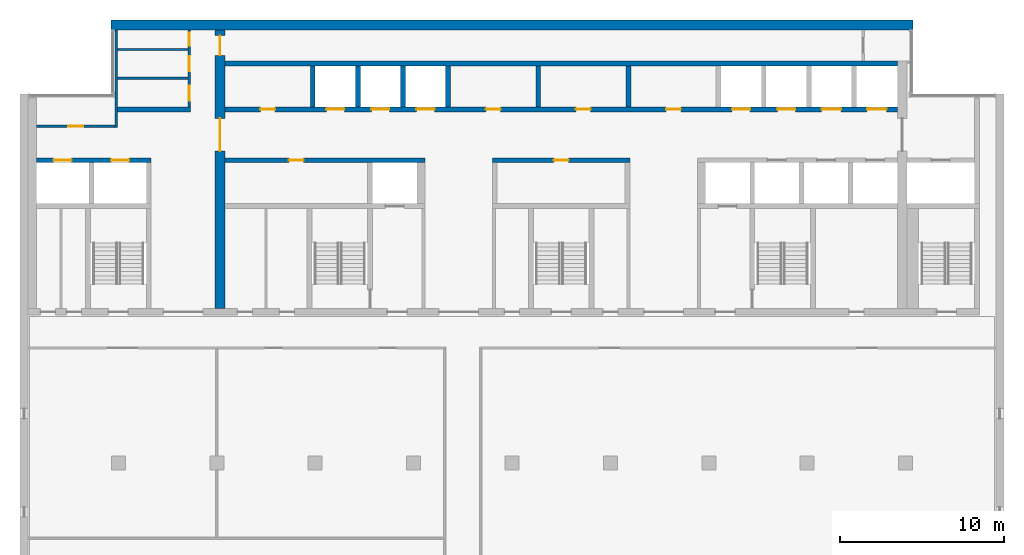
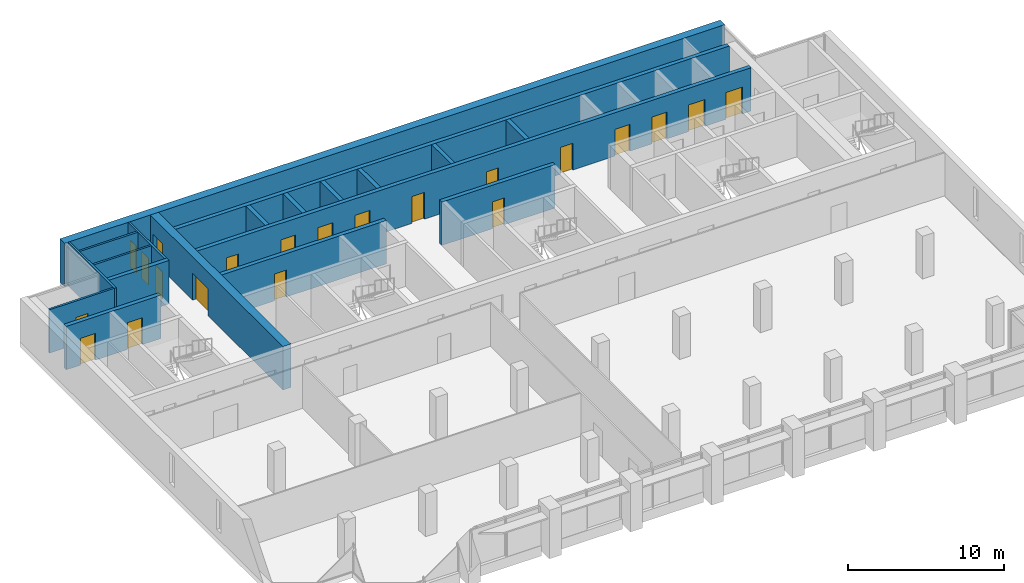
# One storey, part 10 of 14: 21 doors, 19 walls, 21 openings.
"""IFC4 building model written with IfcOpenShell, lengths in metres."""

from ifc_helpers import new_model, si_unit, direction, frame, frame_2d, origin, place, context, subcontext, project, spatial, rectangle, extrude, material, layer, layer_set, type_object, element, fill, save


model = new_model("IFC4")

# Units and contexts
model_context = context("Model", 3, precision=1e-05, world=origin(), true_north=direction((0.0, 1.0)))
body_context = subcontext(model_context, "Body", "Model", "MODEL_VIEW")
ifc_project = project(units=[si_unit("LENGTHUNIT", "METRE"), si_unit("AREAUNIT", "SQUARE_METRE"), si_unit("VOLUMEUNIT", "CUBIC_METRE"), si_unit("PLANEANGLEUNIT", "RADIAN"), si_unit("MASSUNIT", "GRAM", prefix="KILO")], contexts=[model_context])

# Site, building, storey
site_placement = place(None, origin())
site = spatial("IfcSite", under=ifc_project, at=site_placement, CompositionType="ELEMENT")
building_placement = place(site_placement, origin())
building = spatial("IfcBuilding", under=site, at=building_placement, Name="Calvaro Tower", CompositionType="ELEMENT")
storey_placement = place(building_placement, frame((0.0, 0.0, 250.75)))
storey = spatial("IfcBuildingStorey", under=building, at=storey_placement, Name="L63", CompositionType="ELEMENT", Elevation=250.75)

# Walls
ifc_material_1 = material(Name="Blockwork partition", Category="masonry")
ifc_layer_1 = layer(ifc_material_1, 0.14990234375)
ifc_layer_set_1 = layer_set([ifc_layer_1], Name="Blockwork partition")
wall_type_1 = type_object("IfcWallType", Name="Core partition 150 EI 60", PredefinedType="PARTITIONING", material=ifc_layer_set_1)
for number, where, z_axis, x_axis, name in (
    (1, (11.949951171875, 42.449951171875, 0.0), (0.0, 0.0, 1.0), (1.0, 0.0, 0.0), "Core partition"),
    (2, (11.949951171875, 44.199951171875, 0.0), (0.0, 0.0, 1.0), (1.0, 0.0, 0.0), "Core partition"),
):
    element("IfcWall", number, at=place(storey_placement, frame(where, z_axis=z_axis, x_axis=x_axis)), inside=storey, type_object=wall_type_1, Name=name, PredefinedType="PARTITIONING", context=body_context, shape_type="SweptSolid", body=[
        extrude(rectangle(XDim=4.300048828125, YDim=0.14990234375, at=frame_2d((2.14990234375, 0.0))), origin(), (0.0, 0.0, 1.0), 3.39990234375),
    ])

# Wall, openings, doors
ifc_material_2 = material(Name="Blockwork partition", Category="masonry")
ifc_layer_2 = layer(ifc_material_2, 0.14990234375)
ifc_layer_set_2 = layer_set([ifc_layer_2], Name="Blockwork partition")
wall_type_2 = type_object("IfcWallType", Name="Core partition 150 REI 120", PredefinedType="PARTITIONING", material=ifc_layer_set_2)
wall_1_placement = place(storey_placement, frame((16.324951171875, 45.39990234375, 0.0), z_axis=(0.0, 0.0, 1.0), x_axis=(0.0, -1.0, 0.0)))
wall_1 = element("IfcWall", 3, at=wall_1_placement, inside=storey, type_object=wall_type_2, Name="Core partition", PredefinedType="PARTITIONING", context=body_context, shape_type="SweptSolid", body=[
    extrude(rectangle(XDim=4.699951171875, YDim=0.14990234375, at=frame_2d((2.35009765625, 0.0))), origin(), (0.0, 0.0, 1.0), 3.39990234375),
])
opening_1_placement = place(wall_1_placement, frame((3.41259765625, 0.0, 0.0)))
opening_1 = element("IfcOpeningElement", 4, at=opening_1_placement, cuts=wall_1, Name="Opening RD9", PredefinedType="OPENING", context=body_context, shape_type="SweptSolid", body=[
    extrude(rectangle(XDim=0.89990234375, YDim=2.10009765625, at=frame_2d((0.449951171875, 1.050048828125))), frame((0.0, 0.0849609375, 0.0), z_axis=(0.0, -1.0, 0.0), x_axis=(1.0, 0.0, 0.0)), (0.0, 0.0, 1.0), 0.169921875),
])
opening_2_placement = place(wall_1_placement, frame((1.625, 0.0, 0.0)))
opening_2 = element("IfcOpeningElement", 5, at=opening_2_placement, cuts=wall_1, Name="Opening RD9", PredefinedType="OPENING", context=body_context, shape_type="SweptSolid", body=[
    extrude(rectangle(XDim=0.89990234375, YDim=2.10009765625, at=frame_2d((0.449951171875, 1.050048828125))), frame((0.0, 0.0849609375, 0.0), z_axis=(0.0, -1.0, 0.0), x_axis=(1.0, 0.0, 0.0)), (0.0, 0.0, 1.0), 0.169921875),
])
opening_3_placement = place(wall_1_placement, frame((0.16259765625, 0.0, 0.0)))
opening_3 = element("IfcOpeningElement", 6, at=opening_3_placement, cuts=wall_1, Name="Opening RD8C", PredefinedType="OPENING", context=body_context, shape_type="SweptSolid", body=[
    extrude(rectangle(XDim=0.800048828125, YDim=2.10009765625, at=frame_2d((0.39990234375, 1.050048828125))), frame((0.0, 0.0849609375, 0.0), z_axis=(0.0, -1.0, 0.0), x_axis=(1.0, 0.0, 0.0)), (0.0, 0.0, 1.0), 0.169921875),
])
ifc_material_3 = material(Name="Steel door set", Category="steel")
door_type_1 = type_object("IfcDoorType", Name="Room door 800 FD30", OperationType="SINGLE_SWING_LEFT", PredefinedType="DOOR", material=ifc_material_3)
door_1_placement = place(opening_3_placement, origin())
door_1 = element("IfcDoor", 7, at=door_1_placement, inside=storey, type_object=door_type_1, Name="Room door", OperationType="SINGLE_SWING_RIGHT", OverallHeight=2.10009765625, OverallWidth=0.800048828125, PredefinedType="DOOR", context=body_context, shape_type="SweptSolid", body=[
    extrude(rectangle(XDim=0.800048828125, YDim=2.10009765625, at=frame_2d((0.39990234375, 1.050048828125))), frame((0.0, 0.02490234375, 0.0), z_axis=(0.0, -1.0, 0.0), x_axis=(1.0, 0.0, 0.0)), (0.0, 0.0, 1.0), 0.050048828125),
])
fill(opening_3, door_1)
ifc_material_4 = material(Name="Steel door set", Category="steel")
door_type_2 = type_object("IfcDoorType", Name="Room door 900", OperationType="SINGLE_SWING_LEFT", PredefinedType="DOOR", material=ifc_material_4)
door_2_placement = place(opening_1_placement, origin())
door_2 = element("IfcDoor", 8, at=door_2_placement, inside=storey, type_object=door_type_2, Name="Room door", OperationType="SINGLE_SWING_RIGHT", OverallHeight=2.10009765625, OverallWidth=0.89990234375, PredefinedType="DOOR", context=body_context, shape_type="SweptSolid", body=[
    extrude(rectangle(XDim=0.89990234375, YDim=2.10009765625, at=frame_2d((0.449951171875, 1.050048828125))), frame((0.0, 0.02490234375, 0.0), z_axis=(0.0, -1.0, 0.0), x_axis=(1.0, 0.0, 0.0)), (0.0, 0.0, 1.0), 0.050048828125),
])
fill(opening_1, door_2)
door_3_placement = place(opening_2_placement, origin())
door_3 = element("IfcDoor", 9, at=door_3_placement, inside=storey, type_object=door_type_2, Name="Room door", OperationType="SINGLE_SWING_LEFT", OverallHeight=2.10009765625, OverallWidth=0.89990234375, PredefinedType="DOOR", context=body_context, shape_type="SweptSolid", body=[
    extrude(rectangle(XDim=0.89990234375, YDim=2.10009765625, at=frame_2d((0.449951171875, 1.050048828125))), frame((0.0, 0.02490234375, 0.0), z_axis=(0.0, -1.0, 0.0), x_axis=(1.0, 0.0, 0.0)), (0.0, 0.0, 1.0), 0.050048828125),
])
fill(opening_2, door_3)

# Wall
wall_2_placement = place(storey_placement, frame((11.875, 39.449951171875, 0.0), z_axis=(0.0, 0.0, 1.0), x_axis=(0.0, 1.0, 0.0)))
element("IfcWall", 10, at=wall_2_placement, inside=storey, type_object=wall_type_2, Name="Core partition", PredefinedType="PARTITIONING", context=body_context, shape_type="SweptSolid", body=[
    extrude(rectangle(XDim=5.949951171875, YDim=0.14990234375, at=frame_2d((2.97509765625, 0.0))), origin(), (0.0, 0.0, 1.0), 3.39990234375),
])

# Wall, opening, door
wall_3_placement = place(storey_placement, frame((7.0, 39.52490234375, 0.0), z_axis=(0.0, 0.0, 1.0), x_axis=(1.0, 0.0, 0.0)))
wall_3 = element("IfcWall", 11, at=wall_3_placement, inside=storey, type_object=wall_type_2, Name="Core partition", PredefinedType="PARTITIONING", context=body_context, shape_type="SweptSolid", body=[
    extrude(rectangle(XDim=4.800048828125, YDim=0.14990234375, at=frame_2d((2.39990234375, 0.0))), origin(), (0.0, 0.0, 1.0), 3.39990234375),
])
opening_4_placement = place(wall_3_placement, frame((1.949951171875, 0.0, 0.0)))
opening_4 = element("IfcOpeningElement", 12, at=opening_4_placement, cuts=wall_3, Name="Opening RD9", PredefinedType="OPENING", context=body_context, shape_type="SweptSolid", body=[
    extrude(rectangle(XDim=0.89990234375, YDim=2.10009765625, at=frame_2d((0.449951171875, 1.050048828125))), frame((0.0, 0.0849609375, 0.0), z_axis=(0.0, -1.0, 0.0), x_axis=(1.0, 0.0, 0.0)), (0.0, 0.0, 1.0), 0.169921875),
])
door_4_placement = place(opening_4_placement, origin())
door_4 = element("IfcDoor", 13, at=door_4_placement, inside=storey, type_object=door_type_2, Name="Room door", OperationType="SINGLE_SWING_LEFT", OverallHeight=2.10009765625, OverallWidth=0.89990234375, PredefinedType="DOOR", context=body_context, shape_type="SweptSolid", body=[
    extrude(rectangle(XDim=0.89990234375, YDim=2.10009765625, at=frame_2d((0.449951171875, 1.050048828125))), frame((0.0, 0.02490234375, 0.0), z_axis=(0.0, -1.0, 0.0), x_axis=(1.0, 0.0, 0.0)), (0.0, 0.0, 1.0), 0.050048828125),
])
fill(opening_4, door_4)

# Walls
ifc_material_5 = material(Name="Blockwork partition", Category="masonry")
ifc_layer_3 = layer(ifc_material_5, 0.300048828125)
ifc_layer_set_3 = layer_set([ifc_layer_3], Name="Blockwork partition")
wall_type_3 = type_object("IfcWallType", Name="Core partition 300 EI 60", PredefinedType="PARTITIONING", material=ifc_layer_set_3)
wall_4_placement = place(storey_placement, frame((37.60009765625, 40.699951171875, 0.0), z_axis=(0.0, 0.0, 1.0), x_axis=(0.0, 1.0, 0.0)))
element("IfcWall", 14, at=wall_4_placement, inside=storey, type_object=wall_type_3, Name="Core partition", PredefinedType="PARTITIONING", context=body_context, shape_type="SweptSolid", body=[
    extrude(rectangle(XDim=2.5, YDim=0.300048828125, at=frame_2d((1.25, 0.0))), origin(), (0.0, 0.0, 1.0), 3.39990234375),
])
ifc_material_6 = material(Name="Blockwork partition", Category="masonry")
ifc_layer_4 = layer(ifc_material_6, 0.300048828125)
ifc_layer_set_4 = layer_set([ifc_layer_4], Name="Blockwork partition")
wall_type_4 = type_object("IfcWallType", Name="Core partition 300 REI 120", PredefinedType="PARTITIONING", material=ifc_layer_set_4)
wall_5_placement = place(storey_placement, frame((11.949951171875, 40.550048828125, 0.0), z_axis=(0.0, 0.0, 1.0), x_axis=(1.0, 0.0, 0.0)))
element("IfcWall", 15, at=wall_5_placement, inside=storey, type_object=wall_type_4, Name="Core partition", PredefinedType="PARTITIONING", context=body_context, shape_type="SweptSolid", body=[
    extrude(rectangle(XDim=4.449951171875, YDim=0.300048828125, at=frame_2d((2.22509765625, 0.0))), origin(), (0.0, 0.0, 1.0), 3.39990234375),
])
wall_6_placement = place(storey_placement, frame((43.10009765625, 40.699951171875, 0.0), z_axis=(0.0, 0.0, 1.0), x_axis=(0.0, 1.0, 0.0)))
element("IfcWall", 16, at=wall_6_placement, inside=storey, type_object=wall_type_4, Name="Core partition", PredefinedType="PARTITIONING", context=body_context, shape_type="SweptSolid", body=[
    extrude(rectangle(XDim=2.5, YDim=0.300048828125, at=frame_2d((1.25, 0.0))), origin(), (0.0, 0.0, 1.0), 3.39990234375),
])

# Wall, openings, doors
ifc_material_7 = material(Name="Concrete C40/50", Category="concrete")
ifc_layer_5 = layer(ifc_material_7, 0.300048828125)
ifc_layer_set_5 = layer_set([ifc_layer_5], Name="Concrete C40/50")
wall_type_5 = type_object("IfcWallType", Name="Core wall C40/50 300", PredefinedType="SHEAR", material=ifc_layer_set_5)
wall_7_placement = place(storey_placement, frame((7.0, 37.449951171875, 0.0), z_axis=(0.0, 0.0, 1.0), x_axis=(1.0, 0.0, 0.0)))
wall_7 = element("IfcWall", 17, at=wall_7_placement, inside=storey, type_object=wall_type_5, Name="Core wall, lift shaft", PredefinedType="SHEAR", context=body_context, shape_type="SweptSolid", body=[
    extrude(rectangle(XDim=7.0, YDim=0.300048828125, at=frame_2d((3.5, 0.0))), origin(), (0.0, 0.0, 1.0), 3.39990234375),
])
opening_5_placement = place(wall_7_placement, frame((1.050048828125, 0.0, 0.0)))
opening_5 = element("IfcOpeningElement", 18, at=opening_5_placement, cuts=wall_7, Name="Opening EX1", PredefinedType="OPENING", context=body_context, shape_type="SweptSolid", body=[
    extrude(rectangle(XDim=1.10009765625, YDim=2.10009765625, at=frame_2d((0.550048828125, 1.050048828125))), frame((0.0, 0.159912109375, 0.0), z_axis=(0.0, -1.0, 0.0), x_axis=(1.0, 0.0, 0.0)), (0.0, 0.0, 1.0), 0.320068359375),
])
opening_6_placement = place(wall_7_placement, frame((4.550048828125, 0.0, 0.0)))
opening_6 = element("IfcOpeningElement", 19, at=opening_6_placement, cuts=wall_7, Name="Opening EX2", PredefinedType="OPENING", context=body_context, shape_type="SweptSolid", body=[
    extrude(rectangle(XDim=1.10009765625, YDim=2.10009765625, at=frame_2d((0.550048828125, 1.050048828125))), frame((0.0, 0.159912109375, 0.0), z_axis=(0.0, -1.0, 0.0), x_axis=(1.0, 0.0, 0.0)), (0.0, 0.0, 1.0), 0.320068359375),
])
ifc_material_8 = material(Name="Stainless steel", Category="steel")
door_type_3 = type_object("IfcDoorType", Name="Landing door 1100 E 60", OperationType="SLIDING_TO_LEFT", PredefinedType="DOOR", material=ifc_material_8)
door_5_placement = place(opening_5_placement, origin())
door_5 = element("IfcDoor", 20, at=door_5_placement, inside=storey, type_object=door_type_3, Name="Landing door EX1", OperationType="SLIDING_TO_LEFT", OverallHeight=2.10009765625, OverallWidth=1.10009765625, PredefinedType="DOOR", context=body_context, shape_type="SweptSolid", body=[
    extrude(rectangle(XDim=1.10009765625, YDim=2.10009765625, at=frame_2d((0.550048828125, 1.050048828125))), frame((0.0, 0.02490234375, 0.0), z_axis=(0.0, -1.0, 0.0), x_axis=(1.0, 0.0, 0.0)), (0.0, 0.0, 1.0), 0.050048828125),
])
fill(opening_5, door_5)
door_6_placement = place(opening_6_placement, origin())
door_6 = element("IfcDoor", 21, at=door_6_placement, inside=storey, type_object=door_type_3, Name="Landing door EX2", OperationType="SLIDING_TO_LEFT", OverallHeight=2.10009765625, OverallWidth=1.10009765625, PredefinedType="DOOR", context=body_context, shape_type="SweptSolid", body=[
    extrude(rectangle(XDim=1.10009765625, YDim=2.10009765625, at=frame_2d((0.550048828125, 1.050048828125))), frame((0.0, 0.02490234375, 0.0), z_axis=(0.0, -1.0, 0.0), x_axis=(1.0, 0.0, 0.0)), (0.0, 0.0, 1.0), 0.050048828125),
])
fill(opening_6, door_6)

# Wall, opening, door
wall_8_placement = place(storey_placement, frame((30.699951171875, 37.449951171875, 0.0), z_axis=(0.0, 0.0, 1.0), x_axis=(-1.0, 0.0, 0.0)))
wall_8 = element("IfcWall", 22, at=wall_8_placement, inside=storey, type_object=wall_type_5, Name="Core wall, bay", PredefinedType="SHEAR", context=body_context, shape_type="SweptSolid", body=[
    extrude(rectangle(XDim=12.199951171875, YDim=0.300048828125, at=frame_2d((6.10009765625, 0.0))), origin(), (0.0, 0.0, 1.0), 3.39990234375),
])
opening_7_placement = place(wall_8_placement, frame((7.39990234375, 0.0, 0.0)))
opening_7 = element("IfcOpeningElement", 23, at=opening_7_placement, cuts=wall_8, Name="Opening RD9E", PredefinedType="OPENING", context=body_context, shape_type="SweptSolid", body=[
    extrude(rectangle(XDim=0.89990234375, YDim=2.10009765625, at=frame_2d((0.449951171875, 1.050048828125))), frame((0.0, 0.159912109375, 0.0), z_axis=(0.0, -1.0, 0.0), x_axis=(1.0, 0.0, 0.0)), (0.0, 0.0, 1.0), 0.320068359375),
])
ifc_material_9 = material(Name="Steel door set", Category="steel")
door_type_4 = type_object("IfcDoorType", Name="Room door 900 FD60", OperationType="SINGLE_SWING_LEFT", PredefinedType="DOOR", material=ifc_material_9)
door_7_placement = place(opening_7_placement, origin())
door_7 = element("IfcDoor", 24, at=door_7_placement, inside=storey, type_object=door_type_4, Name="Room door", OperationType="SINGLE_SWING_LEFT", OverallHeight=2.10009765625, OverallWidth=0.89990234375, PredefinedType="DOOR", context=body_context, shape_type="SweptSolid", body=[
    extrude(rectangle(XDim=0.89990234375, YDim=2.10009765625, at=frame_2d((0.449951171875, 1.050048828125))), frame((0.0, 0.02490234375, 0.0), z_axis=(0.0, -1.0, 0.0), x_axis=(1.0, 0.0, 0.0)), (0.0, 0.0, 1.0), 0.050048828125),
])
fill(opening_7, door_7)

wall_9_placement = place(storey_placement, frame((43.199951171875, 37.449951171875, 0.0), z_axis=(0.0, 0.0, 1.0), x_axis=(-1.0, 0.0, 0.0)))
wall_9 = element("IfcWall", 25, at=wall_9_placement, inside=storey, type_object=wall_type_5, Name="Core wall, bay", PredefinedType="SHEAR", context=body_context, shape_type="SweptSolid", body=[
    extrude(rectangle(XDim=8.39990234375, YDim=0.300048828125, at=frame_2d((4.199951171875, 0.0))), origin(), (0.0, 0.0, 1.0), 3.39990234375),
])
opening_8_placement = place(wall_9_placement, frame((3.75, 0.0, 0.0)))
opening_8 = element("IfcOpeningElement", 26, at=opening_8_placement, cuts=wall_9, Name="Opening RD9C", PredefinedType="OPENING", context=body_context, shape_type="SweptSolid", body=[
    extrude(rectangle(XDim=0.89990234375, YDim=2.10009765625, at=frame_2d((0.449951171875, 1.050048828125))), frame((0.0, 0.159912109375, 0.0), z_axis=(0.0, -1.0, 0.0), x_axis=(1.0, 0.0, 0.0)), (0.0, 0.0, 1.0), 0.320068359375),
])
ifc_material_10 = material(Name="Steel door set", Category="steel")
door_type_5 = type_object("IfcDoorType", Name="Room door 900 FD30", OperationType="SINGLE_SWING_LEFT", PredefinedType="DOOR", material=ifc_material_10)
door_8_placement = place(opening_8_placement, origin())
door_8 = element("IfcDoor", 27, at=door_8_placement, inside=storey, type_object=door_type_5, Name="Room door", OperationType="SINGLE_SWING_RIGHT", OverallHeight=2.10009765625, OverallWidth=0.89990234375, PredefinedType="DOOR", context=body_context, shape_type="SweptSolid", body=[
    extrude(rectangle(XDim=0.89990234375, YDim=2.10009765625, at=frame_2d((0.449951171875, 1.050048828125))), frame((0.0, 0.02490234375, 0.0), z_axis=(0.0, -1.0, 0.0), x_axis=(1.0, 0.0, 0.0)), (0.0, 0.0, 1.0), 0.050048828125),
])
fill(opening_8, door_8)

# Wall, openings, doors
wall_10_placement = place(storey_placement, frame((18.5, 40.550048828125, 0.0), z_axis=(0.0, 0.0, 1.0), x_axis=(1.0, 0.0, 0.0)))
wall_10 = element("IfcWall", 28, at=wall_10_placement, inside=storey, type_object=wall_type_5, Name="Core wall, bay", PredefinedType="SHEAR", context=body_context, shape_type="SweptSolid", body=[
    extrude(rectangle(XDim=41.0, YDim=0.300048828125, at=frame_2d((20.5, 0.0))), origin(), (0.0, 0.0, 1.0), 3.39990234375),
])
opening_9_placement = place(wall_10_placement, frame((2.14990234375, 0.0, 0.0)))
opening_9 = element("IfcOpeningElement", 29, at=opening_9_placement, cuts=wall_10, Name="Opening RD9C", PredefinedType="OPENING", context=body_context, shape_type="SweptSolid", body=[
    extrude(rectangle(XDim=0.89990234375, YDim=2.10009765625, at=frame_2d((0.449951171875, 1.050048828125))), frame((0.0, 0.159912109375, 0.0), z_axis=(0.0, -1.0, 0.0), x_axis=(1.0, 0.0, 0.0)), (0.0, 0.0, 1.0), 0.320068359375),
])
opening_10_placement = place(wall_10_placement, frame((15.89990234375, 0.0, 0.0)))
opening_10 = element("IfcOpeningElement", 30, at=opening_10_placement, cuts=wall_10, Name="Opening RD9E", PredefinedType="OPENING", context=body_context, shape_type="SweptSolid", body=[
    extrude(rectangle(XDim=0.89990234375, YDim=2.10009765625, at=frame_2d((0.449951171875, 1.050048828125))), frame((0.0, 0.159912109375, 0.0), z_axis=(0.0, -1.0, 0.0), x_axis=(1.0, 0.0, 0.0)), (0.0, 0.0, 1.0), 0.320068359375),
])
opening_11_placement = place(wall_10_placement, frame((21.39990234375, 0.0, 0.0)))
opening_11 = element("IfcOpeningElement", 31, at=opening_11_placement, cuts=wall_10, Name="Opening RD9C", PredefinedType="OPENING", context=body_context, shape_type="SweptSolid", body=[
    extrude(rectangle(XDim=0.89990234375, YDim=2.10009765625, at=frame_2d((0.449951171875, 1.050048828125))), frame((0.0, 0.159912109375, 0.0), z_axis=(0.0, -1.0, 0.0), x_axis=(1.0, 0.0, 0.0)), (0.0, 0.0, 1.0), 0.320068359375),
])
opening_12_placement = place(wall_10_placement, frame((26.89990234375, 0.0, 0.0)))
opening_12 = element("IfcOpeningElement", 32, at=opening_12_placement, cuts=wall_10, Name="Opening RD9E", PredefinedType="OPENING", context=body_context, shape_type="SweptSolid", body=[
    extrude(rectangle(XDim=0.89990234375, YDim=2.10009765625, at=frame_2d((0.449951171875, 1.050048828125))), frame((0.0, 0.159912109375, 0.0), z_axis=(0.0, -1.0, 0.0), x_axis=(1.0, 0.0, 0.0)), (0.0, 0.0, 1.0), 0.320068359375),
])
opening_13_placement = place(wall_10_placement, frame((6.175048828125, 0.0, 0.0)))
opening_13 = element("IfcOpeningElement", 33, at=opening_13_placement, cuts=wall_10, Name="Opening HR4", PredefinedType="OPENING", context=body_context, shape_type="SweptSolid", body=[
    extrude(rectangle(XDim=1.10009765625, YDim=2.10009765625, at=frame_2d((0.550048828125, 1.050048828125))), frame((0.0, 0.159912109375, 0.0), z_axis=(0.0, -1.0, 0.0), x_axis=(1.0, 0.0, 0.0)), (0.0, 0.0, 1.0), 0.320068359375),
])
opening_14_placement = place(wall_10_placement, frame((8.925048828125, 0.0, 0.0)))
opening_14 = element("IfcOpeningElement", 34, at=opening_14_placement, cuts=wall_10, Name="Opening HR5", PredefinedType="OPENING", context=body_context, shape_type="SweptSolid", body=[
    extrude(rectangle(XDim=1.10009765625, YDim=2.10009765625, at=frame_2d((0.550048828125, 1.050048828125))), frame((0.0, 0.159912109375, 0.0), z_axis=(0.0, -1.0, 0.0), x_axis=(1.0, 0.0, 0.0)), (0.0, 0.0, 1.0), 0.320068359375),
])
opening_15_placement = place(wall_10_placement, frame((11.675048828125, 0.0, 0.0)))
opening_15 = element("IfcOpeningElement", 35, at=opening_15_placement, cuts=wall_10, Name="Opening HR6", PredefinedType="OPENING", context=body_context, shape_type="SweptSolid", body=[
    extrude(rectangle(XDim=1.10009765625, YDim=2.10009765625, at=frame_2d((0.550048828125, 1.050048828125))), frame((0.0, 0.159912109375, 0.0), z_axis=(0.0, -1.0, 0.0), x_axis=(1.0, 0.0, 0.0)), (0.0, 0.0, 1.0), 0.320068359375),
])
opening_16_placement = place(wall_10_placement, frame((30.925048828125, 0.0, 0.0)))
opening_16 = element("IfcOpeningElement", 36, at=opening_16_placement, cuts=wall_10, Name="Opening HR7", PredefinedType="OPENING", context=body_context, shape_type="SweptSolid", body=[
    extrude(rectangle(XDim=1.10009765625, YDim=2.10009765625, at=frame_2d((0.550048828125, 1.050048828125))), frame((0.0, 0.159912109375, 0.0), z_axis=(0.0, -1.0, 0.0), x_axis=(1.0, 0.0, 0.0)), (0.0, 0.0, 1.0), 0.320068359375),
])
opening_17_placement = place(wall_10_placement, frame((33.675048828125, 0.0, 0.0)))
opening_17 = element("IfcOpeningElement", 37, at=opening_17_placement, cuts=wall_10, Name="Opening HR8", PredefinedType="OPENING", context=body_context, shape_type="SweptSolid", body=[
    extrude(rectangle(XDim=1.10009765625, YDim=2.10009765625, at=frame_2d((0.550048828125, 1.050048828125))), frame((0.0, 0.159912109375, 0.0), z_axis=(0.0, -1.0, 0.0), x_axis=(1.0, 0.0, 0.0)), (0.0, 0.0, 1.0), 0.320068359375),
])
opening_18_placement = place(wall_10_placement, frame((36.375, 0.0, 0.0)))
opening_18 = element("IfcOpeningElement", 38, at=opening_18_placement, cuts=wall_10, Name="Opening SV1", PredefinedType="OPENING", context=body_context, shape_type="SweptSolid", body=[
    extrude(rectangle(XDim=1.199951171875, YDim=2.10009765625, at=frame_2d((0.60009765625, 1.050048828125))), frame((0.0, 0.159912109375, 0.0), z_axis=(0.0, -1.0, 0.0), x_axis=(1.0, 0.0, 0.0)), (0.0, 0.0, 1.0), 0.320068359375),
])
opening_19_placement = place(wall_10_placement, frame((39.14990234375, 0.0, 0.0)))
opening_19 = element("IfcOpeningElement", 39, at=opening_19_placement, cuts=wall_10, Name="Opening SV2", PredefinedType="OPENING", context=body_context, shape_type="SweptSolid", body=[
    extrude(rectangle(XDim=1.199951171875, YDim=2.10009765625, at=frame_2d((0.60009765625, 1.050048828125))), frame((0.0, 0.159912109375, 0.0), z_axis=(0.0, -1.0, 0.0), x_axis=(1.0, 0.0, 0.0)), (0.0, 0.0, 1.0), 0.320068359375),
])
door_9_placement = place(opening_13_placement, origin())
door_9 = element("IfcDoor", 40, at=door_9_placement, inside=storey, type_object=door_type_3, Name="Landing door HR4", OperationType="SLIDING_TO_LEFT", OverallHeight=2.10009765625, OverallWidth=1.10009765625, PredefinedType="DOOR", context=body_context, shape_type="SweptSolid", body=[
    extrude(rectangle(XDim=1.10009765625, YDim=2.10009765625, at=frame_2d((0.550048828125, 1.050048828125))), frame((0.0, 0.02490234375, 0.0), z_axis=(0.0, -1.0, 0.0), x_axis=(1.0, 0.0, 0.0)), (0.0, 0.0, 1.0), 0.050048828125),
])
fill(opening_13, door_9)
door_10_placement = place(opening_14_placement, origin())
door_10 = element("IfcDoor", 41, at=door_10_placement, inside=storey, type_object=door_type_3, Name="Landing door HR5", OperationType="SLIDING_TO_LEFT", OverallHeight=2.10009765625, OverallWidth=1.10009765625, PredefinedType="DOOR", context=body_context, shape_type="SweptSolid", body=[
    extrude(rectangle(XDim=1.10009765625, YDim=2.10009765625, at=frame_2d((0.550048828125, 1.050048828125))), frame((0.0, 0.02490234375, 0.0), z_axis=(0.0, -1.0, 0.0), x_axis=(1.0, 0.0, 0.0)), (0.0, 0.0, 1.0), 0.050048828125),
])
fill(opening_14, door_10)
door_11_placement = place(opening_15_placement, origin())
door_11 = element("IfcDoor", 42, at=door_11_placement, inside=storey, type_object=door_type_3, Name="Landing door HR6", OperationType="SLIDING_TO_LEFT", OverallHeight=2.10009765625, OverallWidth=1.10009765625, PredefinedType="DOOR", context=body_context, shape_type="SweptSolid", body=[
    extrude(rectangle(XDim=1.10009765625, YDim=2.10009765625, at=frame_2d((0.550048828125, 1.050048828125))), frame((0.0, 0.02490234375, 0.0), z_axis=(0.0, -1.0, 0.0), x_axis=(1.0, 0.0, 0.0)), (0.0, 0.0, 1.0), 0.050048828125),
])
fill(opening_15, door_11)
door_12_placement = place(opening_16_placement, origin())
door_12 = element("IfcDoor", 43, at=door_12_placement, inside=storey, type_object=door_type_3, Name="Landing door HR7", OperationType="SLIDING_TO_LEFT", OverallHeight=2.10009765625, OverallWidth=1.10009765625, PredefinedType="DOOR", context=body_context, shape_type="SweptSolid", body=[
    extrude(rectangle(XDim=1.10009765625, YDim=2.10009765625, at=frame_2d((0.550048828125, 1.050048828125))), frame((0.0, 0.02490234375, 0.0), z_axis=(0.0, -1.0, 0.0), x_axis=(1.0, 0.0, 0.0)), (0.0, 0.0, 1.0), 0.050048828125),
])
fill(opening_16, door_12)
door_13_placement = place(opening_17_placement, origin())
door_13 = element("IfcDoor", 44, at=door_13_placement, inside=storey, type_object=door_type_3, Name="Landing door HR8", OperationType="SLIDING_TO_LEFT", OverallHeight=2.10009765625, OverallWidth=1.10009765625, PredefinedType="DOOR", context=body_context, shape_type="SweptSolid", body=[
    extrude(rectangle(XDim=1.10009765625, YDim=2.10009765625, at=frame_2d((0.550048828125, 1.050048828125))), frame((0.0, 0.02490234375, 0.0), z_axis=(0.0, -1.0, 0.0), x_axis=(1.0, 0.0, 0.0)), (0.0, 0.0, 1.0), 0.050048828125),
])
fill(opening_17, door_13)
ifc_material_11 = material(Name="Stainless steel", Category="steel")
door_type_6 = type_object("IfcDoorType", Name="Landing door 1200 E 60", OperationType="SLIDING_TO_LEFT", PredefinedType="DOOR", material=ifc_material_11)
door_14_placement = place(opening_18_placement, origin())
door_14 = element("IfcDoor", 45, at=door_14_placement, inside=storey, type_object=door_type_6, Name="Landing door SV1", OperationType="SLIDING_TO_LEFT", OverallHeight=2.10009765625, OverallWidth=1.199951171875, PredefinedType="DOOR", context=body_context, shape_type="SweptSolid", body=[
    extrude(rectangle(XDim=1.199951171875, YDim=2.10009765625, at=frame_2d((0.60009765625, 1.050048828125))), frame((0.0, 0.02490234375, 0.0), z_axis=(0.0, -1.0, 0.0), x_axis=(1.0, 0.0, 0.0)), (0.0, 0.0, 1.0), 0.050048828125),
])
fill(opening_18, door_14)
door_15_placement = place(opening_19_placement, origin())
door_15 = element("IfcDoor", 46, at=door_15_placement, inside=storey, type_object=door_type_6, Name="Landing door SV2", OperationType="SLIDING_TO_LEFT", OverallHeight=2.10009765625, OverallWidth=1.199951171875, PredefinedType="DOOR", context=body_context, shape_type="SweptSolid", body=[
    extrude(rectangle(XDim=1.199951171875, YDim=2.10009765625, at=frame_2d((0.60009765625, 1.050048828125))), frame((0.0, 0.02490234375, 0.0), z_axis=(0.0, -1.0, 0.0), x_axis=(1.0, 0.0, 0.0)), (0.0, 0.0, 1.0), 0.050048828125),
])
fill(opening_19, door_15)
door_16_placement = place(opening_9_placement, origin())
door_16 = element("IfcDoor", 47, at=door_16_placement, inside=storey, type_object=door_type_5, Name="Room door", OperationType="SINGLE_SWING_RIGHT", OverallHeight=2.10009765625, OverallWidth=0.89990234375, PredefinedType="DOOR", context=body_context, shape_type="SweptSolid", body=[
    extrude(rectangle(XDim=0.89990234375, YDim=2.10009765625, at=frame_2d((0.449951171875, 1.050048828125))), frame((0.0, 0.02490234375, 0.0), z_axis=(0.0, -1.0, 0.0), x_axis=(1.0, 0.0, 0.0)), (0.0, 0.0, 1.0), 0.050048828125),
])
fill(opening_9, door_16)
door_17_placement = place(opening_11_placement, origin())
door_17 = element("IfcDoor", 48, at=door_17_placement, inside=storey, type_object=door_type_5, Name="Room door", OperationType="SINGLE_SWING_LEFT", OverallHeight=2.10009765625, OverallWidth=0.89990234375, PredefinedType="DOOR", context=body_context, shape_type="SweptSolid", body=[
    extrude(rectangle(XDim=0.89990234375, YDim=2.10009765625, at=frame_2d((0.449951171875, 1.050048828125))), frame((0.0, 0.02490234375, 0.0), z_axis=(0.0, -1.0, 0.0), x_axis=(1.0, 0.0, 0.0)), (0.0, 0.0, 1.0), 0.050048828125),
])
fill(opening_11, door_17)
door_18_placement = place(opening_10_placement, origin())
door_18 = element("IfcDoor", 49, at=door_18_placement, inside=storey, type_object=door_type_4, Name="Room door", OperationType="SINGLE_SWING_LEFT", OverallHeight=2.10009765625, OverallWidth=0.89990234375, PredefinedType="DOOR", context=body_context, shape_type="SweptSolid", body=[
    extrude(rectangle(XDim=0.89990234375, YDim=2.10009765625, at=frame_2d((0.449951171875, 1.050048828125))), frame((0.0, 0.02490234375, 0.0), z_axis=(0.0, -1.0, 0.0), x_axis=(1.0, 0.0, 0.0)), (0.0, 0.0, 1.0), 0.050048828125),
])
fill(opening_10, door_18)
door_19_placement = place(opening_12_placement, origin())
door_19 = element("IfcDoor", 50, at=door_19_placement, inside=storey, type_object=door_type_4, Name="Room door", OperationType="SINGLE_SWING_LEFT", OverallHeight=2.10009765625, OverallWidth=0.89990234375, PredefinedType="DOOR", context=body_context, shape_type="SweptSolid", body=[
    extrude(rectangle(XDim=0.89990234375, YDim=2.10009765625, at=frame_2d((0.449951171875, 1.050048828125))), frame((0.0, 0.02490234375, 0.0), z_axis=(0.0, -1.0, 0.0), x_axis=(1.0, 0.0, 0.0)), (0.0, 0.0, 1.0), 0.050048828125),
])
fill(opening_12, door_19)

# Walls
wall_11_placement = place(storey_placement, frame((18.5, 43.35009765625, 0.0), z_axis=(0.0, 0.0, 1.0), x_axis=(1.0, 0.0, 0.0)))
element("IfcWall", 51, at=wall_11_placement, inside=storey, type_object=wall_type_5, Name="Core wall, lift shaft", PredefinedType="SHEAR", context=body_context, shape_type="SweptSolid", body=[
    extrude(rectangle(XDim=41.0, YDim=0.300048828125, at=frame_2d((20.5, 0.0))), origin(), (0.0, 0.0, 1.0), 3.39990234375),
])
for number, where, z_axis, x_axis, name in (
    (52, (23.85009765625, 40.699951171875, 0.0), (0.0, 0.0, 1.0), (0.0, 1.0, 0.0), "Core wall, lift shaft"),
    (53, (26.60009765625, 40.699951171875, 0.0), (0.0, 0.0, 1.0), (0.0, 1.0, 0.0), "Core wall, lift shaft"),
    (54, (29.35009765625, 40.699951171875, 0.0), (0.0, 0.0, 1.0), (0.0, 1.0, 0.0), "Core wall, lift shaft"),
    (55, (32.10009765625, 40.699951171875, 0.0), (0.0, 0.0, 1.0), (0.0, 1.0, 0.0), "Core wall, lift shaft"),
):
    element("IfcWall", number, at=place(storey_placement, frame(where, z_axis=z_axis, x_axis=x_axis)), inside=storey, type_object=wall_type_5, Name=name, PredefinedType="SHEAR", context=body_context, shape_type="SweptSolid", body=[
        extrude(rectangle(XDim=2.5, YDim=0.300048828125, at=frame_2d((1.25, 0.0))), origin(), (0.0, 0.0, 1.0), 3.39990234375),
    ])

# Wall, openings, doors
ifc_material_12 = material(Name="Concrete C40/50", Category="concrete")
ifc_layer_6 = layer(ifc_material_12, 0.60009765625)
ifc_layer_set_6 = layer_set([ifc_layer_6], Name="Concrete C40/50")
wall_type_6 = type_object("IfcWallType", Name="Core wall C40/50 600", PredefinedType="SHEAR", material=ifc_layer_set_6)
wall_12_placement = place(storey_placement, frame((18.199951171875, 28.39990234375, 0.0), z_axis=(0.0, 0.0, 1.0), x_axis=(0.0, 1.0, 0.0)))
wall_12 = element("IfcWall", 56, at=wall_12_placement, inside=storey, type_object=wall_type_6, Name="Core wall, cross shear wall", PredefinedType="SHEAR", context=body_context, shape_type="SweptSolid", body=[
    extrude(rectangle(XDim=17.0, YDim=0.60009765625, at=frame_2d((8.5, 0.0))), origin(), (0.0, 0.0, 1.0), 3.39990234375),
])
opening_20_placement = place(wall_12_placement, frame((9.60009765625, 0.0, 0.0)))
opening_20 = element("IfcOpeningElement", 57, at=opening_20_placement, cuts=wall_12, Name="Opening DD20D", PredefinedType="OPENING", context=body_context, shape_type="SweptSolid", body=[
    extrude(rectangle(XDim=2.0, YDim=2.10009765625, at=frame_2d((1.0, 1.050048828125))), frame((0.0, 0.31005859375, 0.0), z_axis=(0.0, -1.0, 0.0), x_axis=(1.0, 0.0, 0.0)), (0.0, 0.0, 1.0), 0.6201171875),
])
opening_21_placement = place(wall_12_placement, frame((15.449951171875, 0.0, 0.0)))
opening_21 = element("IfcOpeningElement", 58, at=opening_21_placement, cuts=wall_12, Name="Opening FD12C", PredefinedType="OPENING", context=body_context, shape_type="SweptSolid", body=[
    extrude(rectangle(XDim=1.199951171875, YDim=2.10009765625, at=frame_2d((0.60009765625, 1.050048828125))), frame((0.0, 0.31005859375, 0.0), z_axis=(0.0, -1.0, 0.0), x_axis=(1.0, 0.0, 0.0)), (0.0, 0.0, 1.0), 0.6201171875),
])
ifc_material_13 = material(Name="Steel door set", Category="steel")
door_type_7 = type_object("IfcDoorType", Name="Fire door 1200 FD30", OperationType="SINGLE_SWING_LEFT", PredefinedType="DOOR", material=ifc_material_13)
door_20_placement = place(opening_21_placement, origin())
door_20 = element("IfcDoor", 59, at=door_20_placement, inside=storey, type_object=door_type_7, Name="Fire door", OperationType="SINGLE_SWING_RIGHT", OverallHeight=2.10009765625, OverallWidth=1.199951171875, PredefinedType="DOOR", context=body_context, shape_type="SweptSolid", body=[
    extrude(rectangle(XDim=1.199951171875, YDim=2.10009765625, at=frame_2d((0.60009765625, 1.050048828125))), frame((0.0, 0.02490234375, 0.0), z_axis=(0.0, -1.0, 0.0), x_axis=(1.0, 0.0, 0.0)), (0.0, 0.0, 1.0), 0.050048828125),
])
fill(opening_21, door_20)
ifc_material_14 = material(Name="Steel door set", Category="steel")
door_type_8 = type_object("IfcDoorType", Name="Lobby double door 2000 FD30S", OperationType="DOUBLE_DOOR_SINGLE_SWING", PredefinedType="DOOR", material=ifc_material_14)
door_21_placement = place(opening_20_placement, origin())
door_21 = element("IfcDoor", 60, at=door_21_placement, inside=storey, type_object=door_type_8, Name="Lobby double door", OperationType="DOUBLE_DOOR_SINGLE_SWING", OverallHeight=2.10009765625, OverallWidth=2.0, PredefinedType="DOOR", context=body_context, shape_type="SweptSolid", body=[
    extrude(rectangle(XDim=2.0, YDim=2.10009765625, at=frame_2d((1.0, 1.050048828125))), frame((0.0, 0.02490234375, 0.0), z_axis=(0.0, -1.0, 0.0), x_axis=(1.0, 0.0, 0.0)), (0.0, 0.0, 1.0), 0.050048828125),
])
fill(opening_20, door_21)

# Wall
ifc_material_15 = material(Name="Concrete C40/50", Category="concrete")
ifc_layer_7 = layer(ifc_material_15, 0.60009765625)
ifc_layer_set_7 = layer_set([ifc_layer_7], Name="Concrete C40/50")
wall_type_7 = type_object("IfcWallType", Name="Rear core wall 600 C40/50", PredefinedType="SHEAR", material=ifc_layer_set_7)
wall_13_placement = place(storey_placement, frame((11.550048828125, 45.699951171875, 0.0), z_axis=(0.0, 0.0, 1.0), x_axis=(1.0, 0.0, 0.0)))
element("IfcWall", 61, at=wall_13_placement, inside=storey, type_object=wall_type_7, Name="North core wall", PredefinedType="SHEAR", context=body_context, shape_type="SweptSolid", body=[
    extrude(rectangle(XDim=48.89990234375, YDim=0.60009765625, at=frame_2d((24.449951171875, 0.0))), origin(), (0.0, 0.0, 1.0), 3.39990234375),
])

save(model, "model.ifc")
